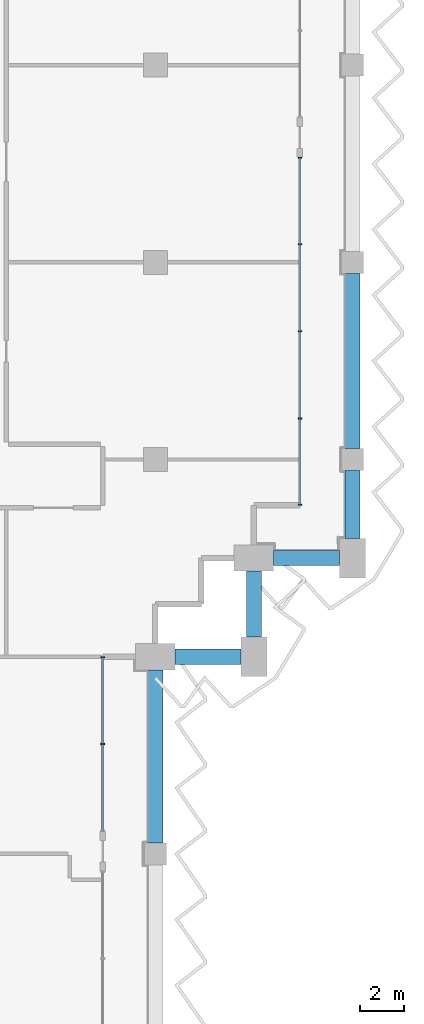
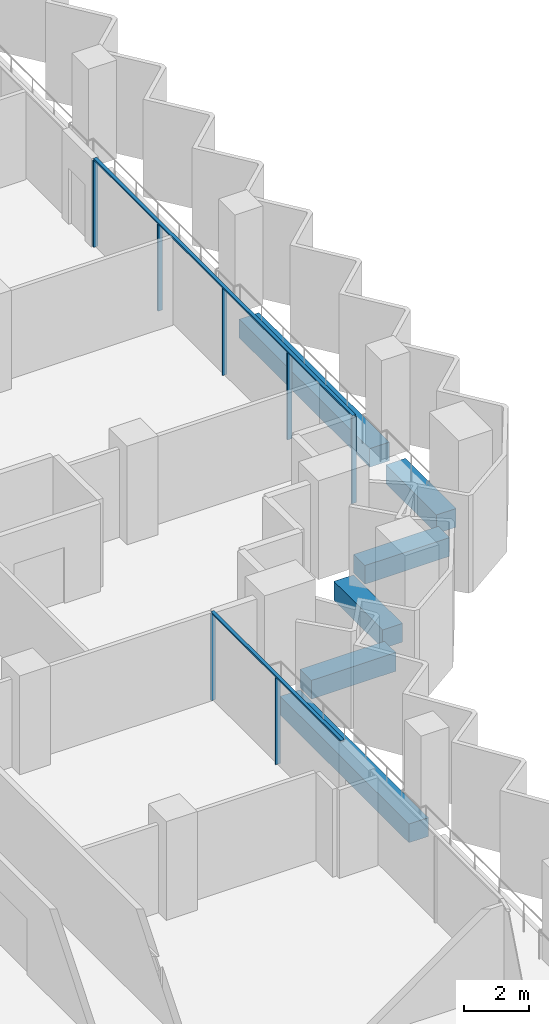
# One storey, part 4 of 17: 9 members, 6 beams, 2 elements without a shape of their own.
"""IFC4 building model written with IfcOpenShell, lengths in metres."""

from ifc_helpers import new_model, si_unit, direction, frame, origin, origin_2d, place, context, subcontext, project, spatial, rectangle, extrude, material, material_profile, profile_set, type_object, element, aggregate, save


model = new_model("IFC4")

# Units and contexts
model_context = context("Model", 3, precision=1e-05, world=origin(), true_north=direction((0.0, 1.0)))
body_context = subcontext(model_context, "Body", "Model", "MODEL_VIEW")
ifc_project = project(units=[si_unit("LENGTHUNIT", "METRE"), si_unit("AREAUNIT", "SQUARE_METRE"), si_unit("VOLUMEUNIT", "CUBIC_METRE"), si_unit("PLANEANGLEUNIT", "RADIAN"), si_unit("MASSUNIT", "GRAM", prefix="KILO")], contexts=[model_context])

# Site, building, storey
site_placement = place(None, origin())
site = spatial("IfcSite", under=ifc_project, at=site_placement, CompositionType="ELEMENT")
building_placement = place(site_placement, origin())
building = spatial("IfcBuilding", under=site, at=building_placement, Name="Hunhe Ridgeline Campus", CompositionType="ELEMENT")
storey_placement = place(building_placement, frame((0.0, 0.0, 212.39990234375)))
storey = spatial("IfcBuildingStorey", under=building, at=storey_placement, Name="L54", CompositionType="ELEMENT", Elevation=212.39990234375)

# Curtain wall, members
ifc_material_1 = material(Name="Aluminium 6063", Category="aluminium")
curtain_wall_type = type_object("IfcCurtainWallType", Name="Curtain wall CW-1", PredefinedType="NOTDEFINED", material=ifc_material_1)
curtain_wall_1_placement = place(storey_placement, origin())
curtain_wall_1 = element("IfcCurtainWall", 1, at=curtain_wall_1_placement, inside=storey, type_object=curtain_wall_type, Name="Curtain wall 12", PredefinedType="NOTDEFINED")
ifc_material_profile_1 = material_profile(ifc_material_1, rectangle(XDim=0.159912109375, YDim=0.06005859375, at=origin_2d()))
ifc_profile_set_1 = profile_set([ifc_material_profile_1], Name="Aluminium 6063")
member_type_1 = type_object("IfcMemberType", Name="CW-1 aluminium mullion", PredefinedType="MULLION", material=ifc_profile_set_1)
member_1_placement = place(storey_placement, frame((42.59912109375, 50.009521484375, 0.0), z_axis=(0.0, 0.0, 1.0), x_axis=(-0.999999999978, 6.639948e-06, 0.0)))
member_1 = element("IfcMember", 2, at=member_1_placement, type_object=member_type_1, Name="CW-1 mullion 2", PredefinedType="MULLION", context=body_context, shape_type="SweptSolid", body=[
    extrude(rectangle(XDim=0.159912109375, YDim=0.06005859375, at=origin_2d()), origin(), (0.0, 0.0, 1.0), 3.239990234375),
])
member_2_placement = place(storey_placement, frame((42.59912109375, 53.970458984375, 0.0), z_axis=(0.0, 0.0, 1.0), x_axis=(-0.999999999978, 6.639948e-06, 0.0)))
member_2 = element("IfcMember", 3, at=member_2_placement, type_object=member_type_1, Name="CW-1 mullion 3", PredefinedType="MULLION", context=body_context, shape_type="SweptSolid", body=[
    extrude(rectangle(XDim=0.159912109375, YDim=0.06005859375, at=origin_2d()), origin(), (0.0, 0.0, 1.0), 3.239990234375),
])

curtain_wall_2_placement = place(storey_placement, origin())
curtain_wall_2 = element("IfcCurtainWall", 4, at=curtain_wall_2_placement, inside=storey, type_object=curtain_wall_type, Name="Curtain wall 13", PredefinedType="NOTDEFINED")
member_3_placement = place(storey_placement, frame((51.59912109375, 60.930908203125, 0.0), z_axis=(0.0, 0.0, 1.0), x_axis=(-1.0, 0.0, 0.0)))
member_3 = element("IfcMember", 5, at=member_3_placement, type_object=member_type_1, Name="CW-1 mullion 1", PredefinedType="MULLION", context=body_context, shape_type="SweptSolid", body=[
    extrude(rectangle(XDim=0.159912109375, YDim=0.06005859375, at=origin_2d()), origin(), (0.0, 0.0, 1.0), 3.239990234375),
])
member_4_placement = place(storey_placement, frame((51.59912109375, 64.8759765625, 0.0), z_axis=(0.0, 0.0, 1.0), x_axis=(-1.0, 0.0, 0.0)))
member_4 = element("IfcMember", 6, at=member_4_placement, type_object=member_type_1, Name="CW-1 mullion 2", PredefinedType="MULLION", context=body_context, shape_type="SweptSolid", body=[
    extrude(rectangle(XDim=0.159912109375, YDim=0.06005859375, at=origin_2d()), origin(), (0.0, 0.0, 1.0), 3.239990234375),
])
member_5_placement = place(storey_placement, frame((51.59912109375, 68.850830078125, 0.0), z_axis=(0.0, 0.0, 1.0), x_axis=(-1.0, 0.0, 0.0)))
member_5 = element("IfcMember", 7, at=member_5_placement, type_object=member_type_1, Name="CW-1 mullion 3", PredefinedType="MULLION", context=body_context, shape_type="SweptSolid", body=[
    extrude(rectangle(XDim=0.159912109375, YDim=0.06005859375, at=origin_2d()), origin(), (0.0, 0.0, 1.0), 3.239990234375),
])
member_6_placement = place(storey_placement, frame((51.59912109375, 72.82568359375, 0.0), z_axis=(0.0, 0.0, 1.0), x_axis=(-1.0, 0.0, 0.0)))
member_6 = element("IfcMember", 8, at=member_6_placement, type_object=member_type_1, Name="CW-1 mullion 4", PredefinedType="MULLION", context=body_context, shape_type="SweptSolid", body=[
    extrude(rectangle(XDim=0.159912109375, YDim=0.06005859375, at=origin_2d()), origin(), (0.0, 0.0, 1.0), 3.239990234375),
])
member_7_placement = place(storey_placement, frame((51.59912109375, 76.7705078125, 0.0), z_axis=(0.0, 0.0, 1.0), x_axis=(-1.0, 0.0, 0.0)))
member_7 = element("IfcMember", 9, at=member_7_placement, type_object=member_type_1, Name="CW-1 mullion 5", PredefinedType="MULLION", context=body_context, shape_type="SweptSolid", body=[
    extrude(rectangle(XDim=0.159912109375, YDim=0.06005859375, at=origin_2d()), origin(), (0.0, 0.0, 1.0), 3.239990234375),
])

# Member
ifc_material_profile_2 = material_profile(ifc_material_1, rectangle(XDim=0.1201171875, YDim=0.06005859375, at=origin_2d()))
ifc_profile_set_2 = profile_set([ifc_material_profile_2], Name="Aluminium 6063")
member_type_2 = type_object("IfcMemberType", Name="CW-1 aluminium transom", PredefinedType="USERDEFINED", material=ifc_profile_set_2)
member_8_placement = place(storey_placement, frame((42.59912109375, 46.0185546875, 3.27001953125), z_axis=(0.0, 1.0, 0.0), x_axis=(-1.0, 0.0, 0.0)))
member_8 = element("IfcMember", 10, at=member_8_placement, type_object=member_type_2, Name="CW-1 transom 1", ObjectType="TRANSOM", PredefinedType="USERDEFINED", context=body_context, shape_type="SweptSolid", body=[
    extrude(rectangle(XDim=0.1201171875, YDim=0.06005859375, at=origin_2d()), origin(), (0.0, 0.0, 1.0), 7.98193359375),
])

aggregate(curtain_wall_1, [member_8, member_1, member_2])

member_9_placement = place(storey_placement, frame((51.59912109375, 60.90087890625, 3.27001953125), z_axis=(0.0, 1.0, 0.0), x_axis=(-1.0, 0.0, 0.0)))
member_9 = element("IfcMember", 11, at=member_9_placement, type_object=member_type_2, Name="CW-1 transom 1", ObjectType="TRANSOM", PredefinedType="USERDEFINED", context=body_context, shape_type="SweptSolid", body=[
    extrude(rectangle(XDim=0.1201171875, YDim=0.06005859375, at=origin_2d()), origin(), (0.0, 0.0, 1.0), 15.899658203125),
])

aggregate(curtain_wall_2, [member_9, member_3, member_4, member_5, member_6, member_7])

# Beams
ifc_material_2 = material(Name="Concrete C50", Category="concrete")
ifc_material_profile_3 = material_profile(ifc_material_2, rectangle(XDim=0.699951171875, YDim=0.699951171875, at=origin_2d()))
ifc_profile_set_3 = profile_set([ifc_material_profile_3], Name="Concrete C50")
beam_type = type_object("IfcBeamType", Name="RC spandrel beam 700x700 Concrete C50", PredefinedType="SPANDREL", material=ifc_profile_set_3)
beam_1_placement = place(storey_placement, frame((45.0, 45.5, -0.599853515625), z_axis=(0.0, 1.0, 0.0), x_axis=(-1.0, 0.0, 0.0)))
element("IfcBeam", 12, at=beam_1_placement, inside=storey, type_object=beam_type, Name="Spandrel beam B3-10 L54", PredefinedType="SPANDREL", context=body_context, shape_type="SweptSolid", body=[
    extrude(rectangle(XDim=0.699951171875, YDim=0.699951171875, at=origin_2d()), origin(), (0.0, 0.0, 1.0), 7.89990234375),
])
for number, where, z_axis, x_axis, name in (
    (13, (45.89990234375, 54.0, -0.599853515625), (1.0, 0.0, 0.0), (0.0, 1.0, 0.0), "Spandrel beam B3-11 L54"),
    (14, (49.5, 54.89990234375, -0.599853515625), (0.0, 1.0, 0.0), (-1.0, 0.0, 0.0), "Spandrel beam B3-12 L54"),
    (15, (50.39990234375, 58.5, -0.599853515625), (1.0, 0.0, 0.0), (0.0, 1.0, 0.0), "Spandrel beam B3-13 L54"),
):
    element("IfcBeam", number, at=place(storey_placement, frame(where, z_axis=z_axis, x_axis=x_axis)), inside=storey, type_object=beam_type, Name=name, PredefinedType="SPANDREL", context=body_context, shape_type="SweptSolid", body=[
        extrude(rectangle(XDim=0.699951171875, YDim=0.699951171875, at=origin_2d()), origin(), (0.0, 0.0, 1.0), 3.0),
    ])
beam_2_placement = place(storey_placement, frame((54.0, 59.39990234375, -0.599853515625), z_axis=(0.0, 1.0, 0.0), x_axis=(-1.0, 0.0, 0.0)))
element("IfcBeam", 16, at=beam_2_placement, inside=storey, type_object=beam_type, Name="Spandrel beam B3-14 L54", PredefinedType="SPANDREL", context=body_context, shape_type="SweptSolid", body=[
    extrude(rectangle(XDim=0.699951171875, YDim=0.699951171875, at=origin_2d()), origin(), (0.0, 0.0, 1.0), 3.10009765625),
])
beam_3_placement = place(storey_placement, frame((54.0, 63.5, -0.599853515625), z_axis=(0.0, 1.0, 0.0), x_axis=(-1.0, 0.0, 0.0)))
element("IfcBeam", 17, at=beam_3_placement, inside=storey, type_object=beam_type, Name="Spandrel beam B3-15 L54", PredefinedType="SPANDREL", context=body_context, shape_type="SweptSolid", body=[
    extrude(rectangle(XDim=0.699951171875, YDim=0.699951171875, at=origin_2d()), origin(), (0.0, 0.0, 1.0), 8.0),
])

save(model, "model.ifc")
